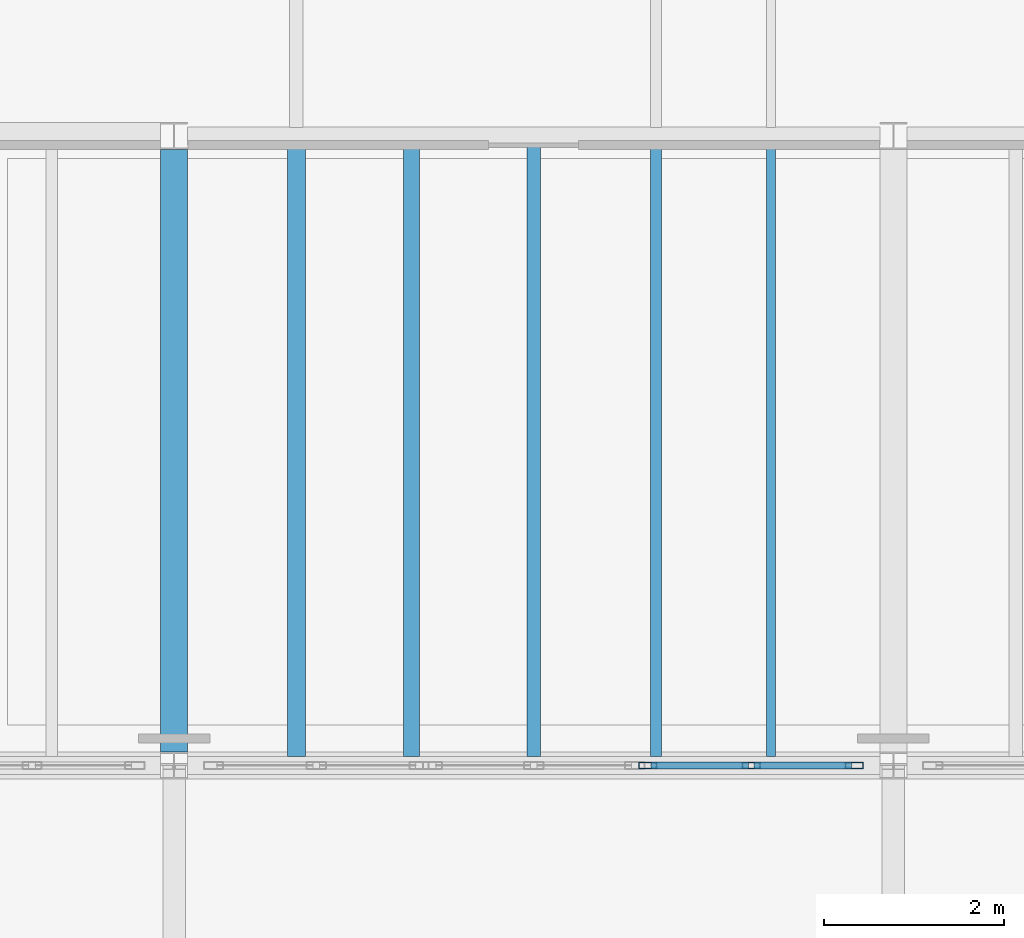
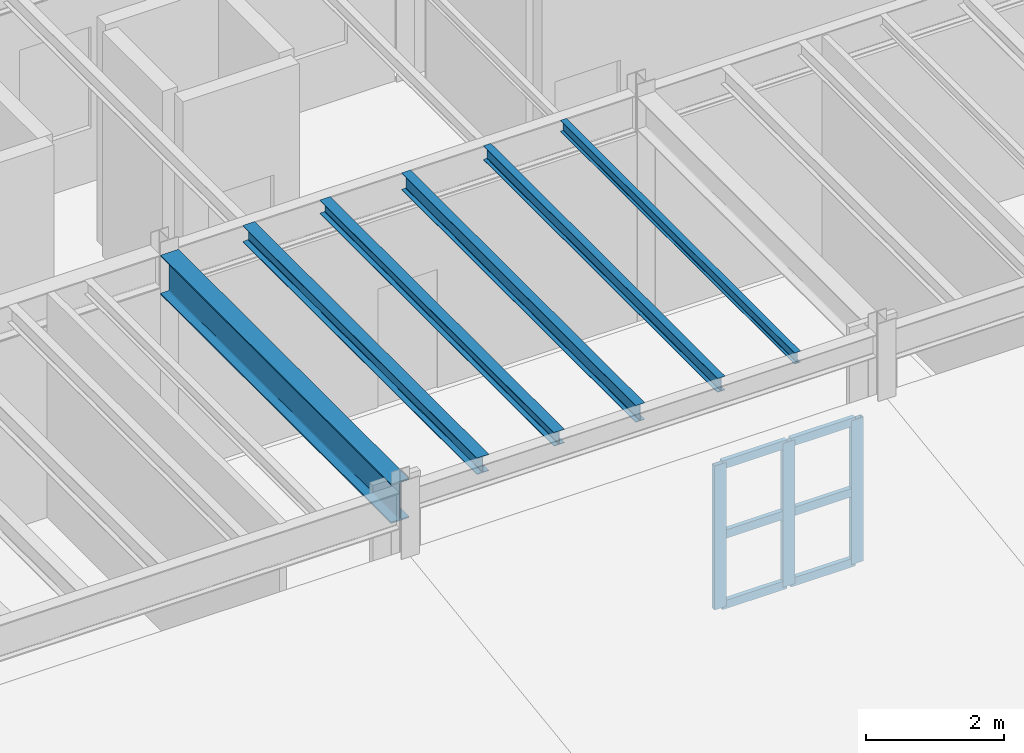
# One storey, part 12 of 77: 9 members, 6 beams, 1 element without a shape of its own.
"""IFC4 building model written with IfcOpenShell, lengths in metres."""

from ifc_helpers import new_model, si_unit, direction, frame, origin, origin_2d, place, context, subcontext, project, spatial, hollow_rectangle, i_section, extrude, material, material_profile, profile_set, type_object, element, aggregate, save


model = new_model("IFC4")

# Units and contexts
model_context = context("Model", 3, precision=1e-05, world=origin(), true_north=direction((0.0, 1.0)))
body_context = subcontext(model_context, "Body", "Model", "MODEL_VIEW")
ifc_project = project(units=[si_unit("LENGTHUNIT", "METRE"), si_unit("AREAUNIT", "SQUARE_METRE"), si_unit("VOLUMEUNIT", "CUBIC_METRE"), si_unit("PLANEANGLEUNIT", "RADIAN"), si_unit("MASSUNIT", "GRAM", prefix="KILO"), si_unit("THERMODYNAMICTEMPERATUREUNIT", "KELVIN"), si_unit("POWERUNIT", "WATT")], contexts=[model_context])

# Site, building, storey
site_placement = place(None, origin())
site = spatial("IfcSite", under=ifc_project, at=site_placement, CompositionType="ELEMENT")
building_placement = place(site_placement, origin())
building = spatial("IfcBuilding", under=site, at=building_placement, Name="Zhenchuan Central Fire Station", CompositionType="ELEMENT")
storey_placement = place(building_placement, frame((0.0, 0.0, 10.050048828125)))
storey = spatial("IfcBuildingStorey", under=building, at=storey_placement, Name="L03", CompositionType="ELEMENT", Elevation=10.050048828125)

# Beam
ifc_material_1 = material(Name="Steel Q355B", Category="steel")
ifc_material_profile_1 = material_profile(ifc_material_1, i_section(OverallWidth=0.300048828125, OverallDepth=0.699951171875, WebThickness=0.012939453125, FlangeThickness=0.02392578125, FilletRadius=0.02392578125, at=origin_2d()), Name="HN 700x300")
ifc_profile_set_1 = profile_set([ifc_material_profile_1], Name="Steel Q355B")
beam_type_1 = type_object("IfcBeamType", Name="BM-HN700", PredefinedType="BEAM", material=ifc_profile_set_1)
beam_1_placement = place(storey_placement, frame((24.0, 42.64990234375, 3.6298828125), z_axis=(0.0, 1.0, 0.0), x_axis=(-1.0, 0.0, 0.0)))
element("IfcBeam", 1, at=beam_1_placement, inside=storey, type_object=beam_type_1, Name="L04 Girder NS 0395", PredefinedType="BEAM", context=body_context, shape_type="SweptSolid", body=[
    extrude(i_section(OverallWidth=0.300048828125, OverallDepth=0.699951171875, WebThickness=0.012939453125, FlangeThickness=0.02392578125, FilletRadius=0.02392578125, at=origin_2d()), origin(), (0.0, 0.0, 1.0), 6.7001953125),
])

# Curtain wall, members
ifc_material_2 = material(Name="Anodised aluminium and low-E glazing", Category="aluminium")
curtain_wall_type = type_object("IfcCurtainWallType", Name="CW-MOD-01", PredefinedType="USERDEFINED", material=ifc_material_2)
curtain_wall_placement = place(storey_placement, origin())
curtain_wall = element("IfcCurtainWall", 2, at=curtain_wall_placement, inside=storey, type_object=curtain_wall_type, Name="L03 Unitised Curtain Wall 048", ObjectType="UNITISED GLAZING", PredefinedType="USERDEFINED")
ifc_material_3 = material(Name="Anodised aluminium EN AW-6063", Category="aluminium")
ifc_material_profile_2 = material_profile(ifc_material_3, hollow_rectangle(XDim=0.074951171875, YDim=0.199951171875, WallThickness=0.0048828125, at=origin_2d()), Name="ALU-M 200x75")
ifc_profile_set_2 = profile_set([ifc_material_profile_2], Name="Anodised aluminium EN AW-6063")
member_type_1 = type_object("IfcMemberType", Name="CW-MUL160", PredefinedType="MULLION", material=ifc_profile_set_2)
member_1_placement = place(storey_placement, frame((29.2705078125, 42.5, -0.004150390625), z_axis=(0.0, 0.0, 1.0), x_axis=(0.0, 1.0, 0.0)))
member_1 = element("IfcMember", 3, at=member_1_placement, type_object=member_type_1, Name="CW-01 mullion 1", PredefinedType="MULLION", context=body_context, shape_type="SweptSolid", body=[
    extrude(hollow_rectangle(XDim=0.074951171875, YDim=0.199951171875, WallThickness=0.0048828125, at=origin_2d()), origin(), (0.0, 0.0, 1.0), 2.55419921875),
])
member_2_placement = place(storey_placement, frame((30.4189453125, 42.5, -0.004150390625), z_axis=(0.0, 0.0, 1.0), x_axis=(0.0, 1.0, 0.0)))
member_2 = element("IfcMember", 4, at=member_2_placement, type_object=member_type_1, Name="CW-01 mullion 2", PredefinedType="MULLION", context=body_context, shape_type="SweptSolid", body=[
    extrude(hollow_rectangle(XDim=0.074951171875, YDim=0.199951171875, WallThickness=0.0048828125, at=origin_2d()), origin(), (0.0, 0.0, 1.0), 2.55419921875),
])
member_3_placement = place(storey_placement, frame((31.5673828125, 42.5, -0.004150390625), z_axis=(0.0, 0.0, 1.0), x_axis=(0.0, 1.0, 0.0)))
member_3 = element("IfcMember", 5, at=member_3_placement, type_object=member_type_1, Name="CW-01 mullion 3", PredefinedType="MULLION", context=body_context, shape_type="SweptSolid", body=[
    extrude(hollow_rectangle(XDim=0.074951171875, YDim=0.199951171875, WallThickness=0.0048828125, at=origin_2d()), origin(), (0.0, 0.0, 1.0), 2.55419921875),
])
ifc_material_profile_3 = material_profile(ifc_material_3, hollow_rectangle(XDim=0.074951171875, YDim=0.14990234375, WallThickness=0.0048828125, at=origin_2d()), Name="ALU-T 150x75")
ifc_profile_set_3 = profile_set([ifc_material_profile_3], Name="Anodised aluminium EN AW-6063")
member_type_2 = type_object("IfcMemberType", Name="CW-TRN130", PredefinedType="NOTDEFINED", material=ifc_profile_set_3)
member_4_placement = place(storey_placement, frame((29.302978515625, 42.5, 0.028564453125), z_axis=(1.0, 0.0, 0.0), x_axis=(0.0, 1.0, 0.0)))
member_4 = element("IfcMember", 6, at=member_4_placement, type_object=member_type_2, Name="CW-01 transom 1.1", ObjectType="TRANSOM", PredefinedType="USERDEFINED", context=body_context, shape_type="SweptSolid", body=[
    extrude(hollow_rectangle(XDim=0.074951171875, YDim=0.14990234375, WallThickness=0.0048828125, at=origin_2d()), origin(), (0.0, 0.0, 1.0), 1.08349609375),
])
member_5_placement = place(storey_placement, frame((29.302978515625, 42.5, 1.27490234375), z_axis=(1.0, 0.0, 0.0), x_axis=(0.0, 1.0, 0.0)))
member_5 = element("IfcMember", 7, at=member_5_placement, type_object=member_type_2, Name="CW-01 transom 1.2", ObjectType="TRANSOM", PredefinedType="USERDEFINED", context=body_context, shape_type="SweptSolid", body=[
    extrude(hollow_rectangle(XDim=0.074951171875, YDim=0.14990234375, WallThickness=0.0048828125, at=origin_2d()), origin(), (0.0, 0.0, 1.0), 1.08349609375),
])
member_6_placement = place(storey_placement, frame((29.302978515625, 42.5, 2.517333984375), z_axis=(1.0, 0.0, 0.0), x_axis=(0.0, 1.0, 0.0)))
member_6 = element("IfcMember", 8, at=member_6_placement, type_object=member_type_2, Name="CW-01 transom 1.3", ObjectType="TRANSOM", PredefinedType="USERDEFINED", context=body_context, shape_type="SweptSolid", body=[
    extrude(hollow_rectangle(XDim=0.074951171875, YDim=0.14990234375, WallThickness=0.0048828125, at=origin_2d()), origin(), (0.0, 0.0, 1.0), 1.08349609375),
])
member_7_placement = place(storey_placement, frame((30.451416015625, 42.5, 0.028564453125), z_axis=(1.0, 0.0, 0.0), x_axis=(0.0, 1.0, 0.0)))
member_7 = element("IfcMember", 9, at=member_7_placement, type_object=member_type_2, Name="CW-01 transom 2.1", ObjectType="TRANSOM", PredefinedType="USERDEFINED", context=body_context, shape_type="SweptSolid", body=[
    extrude(hollow_rectangle(XDim=0.074951171875, YDim=0.14990234375, WallThickness=0.0048828125, at=origin_2d()), origin(), (0.0, 0.0, 1.0), 1.08349609375),
])
member_8_placement = place(storey_placement, frame((30.451416015625, 42.5, 1.27490234375), z_axis=(1.0, 0.0, 0.0), x_axis=(0.0, 1.0, 0.0)))
member_8 = element("IfcMember", 10, at=member_8_placement, type_object=member_type_2, Name="CW-01 transom 2.2", ObjectType="TRANSOM", PredefinedType="USERDEFINED", context=body_context, shape_type="SweptSolid", body=[
    extrude(hollow_rectangle(XDim=0.074951171875, YDim=0.14990234375, WallThickness=0.0048828125, at=origin_2d()), origin(), (0.0, 0.0, 1.0), 1.08349609375),
])
member_9_placement = place(storey_placement, frame((30.451416015625, 42.5, 2.517333984375), z_axis=(1.0, 0.0, 0.0), x_axis=(0.0, 1.0, 0.0)))
member_9 = element("IfcMember", 11, at=member_9_placement, type_object=member_type_2, Name="CW-01 transom 2.3", ObjectType="TRANSOM", PredefinedType="USERDEFINED", context=body_context, shape_type="SweptSolid", body=[
    extrude(hollow_rectangle(XDim=0.074951171875, YDim=0.14990234375, WallThickness=0.0048828125, at=origin_2d()), origin(), (0.0, 0.0, 1.0), 1.08349609375),
])
aggregate(curtain_wall, [member_1, member_2, member_3, member_4, member_5, member_6, member_7, member_8, member_9])

# Beams
ifc_material_profile_4 = material_profile(ifc_material_1, i_section(OverallWidth=0.175048828125, OverallDepth=0.243896484375, WebThickness=0.007080078125, FlangeThickness=0.010986328125, FilletRadius=0.012939453125, at=origin_2d()), Name="HM 244x175")
ifc_profile_set_4 = profile_set([ifc_material_profile_4], Name="Steel Q355B")
beam_type_2 = type_object("IfcBeamType", Name="JS-HM244", PredefinedType="JOIST", material=ifc_profile_set_4)
beam_2_placement = place(storey_placement, frame((26.639892578125, 42.596923828125, 3.85791015625), z_axis=(0.0, 1.0, 0.0), x_axis=(-1.0, 0.0, 0.0)))
element("IfcBeam", 12, at=beam_2_placement, inside=storey, type_object=beam_type_2, Name="L04 Secondary Joist 0650", PredefinedType="JOIST", context=body_context, shape_type="SweptSolid", body=[
    extrude(i_section(OverallWidth=0.175048828125, OverallDepth=0.243896484375, WebThickness=0.007080078125, FlangeThickness=0.010986328125, FilletRadius=0.012939453125, at=origin_2d()), origin(), (0.0, 0.0, 1.0), 6.80615234375),
])
ifc_material_profile_5 = material_profile(ifc_material_1, i_section(OverallWidth=0.199951171875, OverallDepth=0.2939453125, WebThickness=0.008056640625, FlangeThickness=0.011962890625, FilletRadius=0.01611328125, at=origin_2d()), Name="HM 294x200")
ifc_profile_set_5 = profile_set([ifc_material_profile_5], Name="Steel Q355B")
beam_type_3 = type_object("IfcBeamType", Name="JS-HM294", PredefinedType="JOIST", material=ifc_profile_set_5)
beam_3_placement = place(storey_placement, frame((25.360107421875, 42.596923828125, 3.8330078125), z_axis=(0.0, 1.0, 0.0), x_axis=(-1.0, 0.0, 0.0)))
element("IfcBeam", 13, at=beam_3_placement, inside=storey, type_object=beam_type_3, Name="L04 Secondary Joist 0649", PredefinedType="JOIST", context=body_context, shape_type="SweptSolid", body=[
    extrude(i_section(OverallWidth=0.199951171875, OverallDepth=0.2939453125, WebThickness=0.008056640625, FlangeThickness=0.011962890625, FilletRadius=0.01611328125, at=origin_2d()), origin(), (0.0, 0.0, 1.0), 6.80615234375),
])
ifc_material_profile_6 = material_profile(ifc_material_1, i_section(OverallWidth=0.10009765625, OverallDepth=0.199951171875, WebThickness=0.005615234375, FlangeThickness=0.008056640625, FilletRadius=0.010986328125, at=origin_2d()), Name="HN 200x100")
ifc_profile_set_6 = profile_set([ifc_material_profile_6], Name="Steel Q355B")
beam_type_4 = type_object("IfcBeamType", Name="JS-HN200", PredefinedType="JOIST", material=ifc_profile_set_6)
beam_4_placement = place(storey_placement, frame((30.639892578125, 42.596923828125, 3.8798828125), z_axis=(0.0, 1.0, 0.0), x_axis=(-1.0, 0.0, 0.0)))
element("IfcBeam", 14, at=beam_4_placement, inside=storey, type_object=beam_type_4, Name="L04 Secondary Joist 0653", PredefinedType="JOIST", context=body_context, shape_type="SweptSolid", body=[
    extrude(i_section(OverallWidth=0.10009765625, OverallDepth=0.199951171875, WebThickness=0.005615234375, FlangeThickness=0.008056640625, FilletRadius=0.010986328125, at=origin_2d()), origin(), (0.0, 0.0, 1.0), 6.80615234375),
])
ifc_material_profile_7 = material_profile(ifc_material_1, i_section(OverallWidth=0.125, OverallDepth=0.25, WebThickness=0.006103515625, FlangeThickness=0.009033203125, FilletRadius=0.011962890625, at=origin_2d()), Name="HN 250x125")
ifc_profile_set_7 = profile_set([ifc_material_profile_7], Name="Steel Q355B")
beam_type_5 = type_object("IfcBeamType", Name="JS-HN250", PredefinedType="JOIST", material=ifc_profile_set_7)
beam_5_placement = place(storey_placement, frame((29.360107421875, 42.596923828125, 3.85498046875), z_axis=(0.0, 1.0, 0.0), x_axis=(-1.0, 0.0, 0.0)))
element("IfcBeam", 15, at=beam_5_placement, inside=storey, type_object=beam_type_5, Name="L04 Secondary Joist 0652", PredefinedType="JOIST", context=body_context, shape_type="SweptSolid", body=[
    extrude(i_section(OverallWidth=0.125, OverallDepth=0.25, WebThickness=0.006103515625, FlangeThickness=0.009033203125, FilletRadius=0.011962890625, at=origin_2d()), origin(), (0.0, 0.0, 1.0), 6.80615234375),
])
ifc_material_profile_8 = material_profile(ifc_material_1, i_section(OverallWidth=0.14990234375, OverallDepth=0.300048828125, WebThickness=0.006591796875, FlangeThickness=0.009033203125, FilletRadius=0.012939453125, at=origin_2d()), Name="HN 300x150")
ifc_profile_set_8 = profile_set([ifc_material_profile_8], Name="Steel Q355B")
beam_type_6 = type_object("IfcBeamType", Name="JS-HN300", PredefinedType="JOIST", material=ifc_profile_set_8)
beam_6_placement = place(storey_placement, frame((28.0, 42.596923828125, 3.829833984375), z_axis=(0.0, 1.0, 0.0), x_axis=(-1.0, 0.0, 0.0)))
element("IfcBeam", 16, at=beam_6_placement, inside=storey, type_object=beam_type_6, Name="L04 Secondary Joist 0651", PredefinedType="JOIST", context=body_context, shape_type="SweptSolid", body=[
    extrude(i_section(OverallWidth=0.14990234375, OverallDepth=0.300048828125, WebThickness=0.006591796875, FlangeThickness=0.009033203125, FilletRadius=0.012939453125, at=origin_2d()), origin(), (0.0, 0.0, 1.0), 6.80615234375),
])

save(model, "model.ifc")
